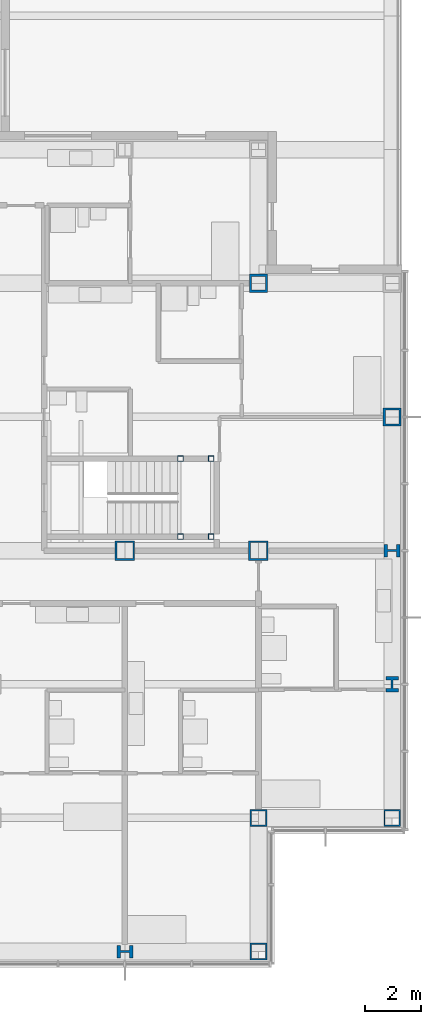
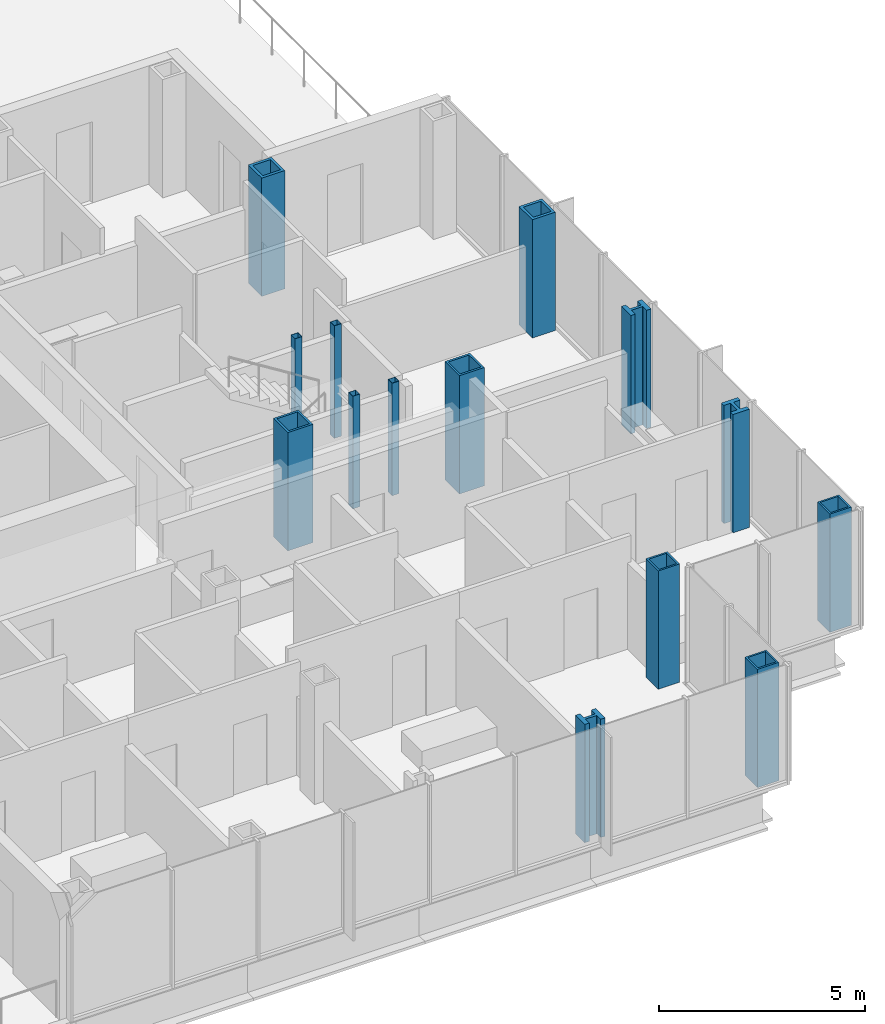
# One storey, part 4 of 19: 14 columns.
"""IFC4 building model written with IfcOpenShell, lengths in metres."""

from ifc_helpers import new_model, si_unit, direction, frame, origin, origin_2d, place, context, subcontext, project, spatial, hollow_rectangle, i_section, extrude, material, material_profile, profile_set, type_object, element, save


model = new_model("IFC4")

# Units and contexts
model_context = context("Model", 3, precision=1e-05, world=origin(), true_north=direction((0.0, 1.0)))
body_context = subcontext(model_context, "Body", "Model", "MODEL_VIEW")
ifc_project = project(units=[si_unit("LENGTHUNIT", "METRE"), si_unit("AREAUNIT", "SQUARE_METRE"), si_unit("VOLUMEUNIT", "CUBIC_METRE"), si_unit("PLANEANGLEUNIT", "RADIAN"), si_unit("MASSUNIT", "GRAM", prefix="KILO")], contexts=[model_context])

# Site, building, storey
site_placement = place(None, origin())
site = spatial("IfcSite", under=ifc_project, at=site_placement, CompositionType="ELEMENT")
building_placement = place(site_placement, origin())
building = spatial("IfcBuilding", under=site, at=building_placement, Name="Kvirike Care Tower", CompositionType="ELEMENT")
storey_placement = place(building_placement, frame((0.0, 0.0, 84.0)))
storey = spatial("IfcBuildingStorey", under=building, at=storey_placement, Name="L22", CompositionType="ELEMENT", Elevation=84.0)

# Columns
ifc_material_1 = material(Name="Steel S460", Category="steel")
ifc_material_profile_1 = material_profile(ifc_material_1, hollow_rectangle(XDim=0.60009765625, YDim=0.60009765625, WallThickness=0.050048828125, at=origin_2d()), Name="BX 600x600x50")
ifc_profile_set_1 = profile_set([ifc_material_profile_1], Name="Steel S460")
column_type_1 = type_object("IfcColumnType", Name="COLUMN BX 600x600x50", PredefinedType="COLUMN", material=ifc_profile_set_1)
for number, where, z_axis, x_axis, name in (
    (1, (38.39990234375, 14.39990234375, 0.0), (0.0, 0.0, 1.0), (0.0, 1.0, 0.0), "Column D11 L22"),
    (2, (38.39990234375, 19.199951171875, 0.0), (0.0, 0.0, 1.0), (0.0, 1.0, 0.0), "Column E11 L22"),
    (3, (43.199951171875, 19.199951171875, 0.0), (0.0, 0.0, 1.0), (0.0, 1.0, 0.0), "Column E12 L22"),
):
    element("IfcColumn", number, at=place(storey_placement, frame(where, z_axis=z_axis, x_axis=x_axis)), inside=storey, type_object=column_type_1, Name=name, PredefinedType="COLUMN", context=body_context, shape_type="SweptSolid", body=[
        extrude(hollow_rectangle(XDim=0.60009765625, YDim=0.60009765625, WallThickness=0.050048828125, at=origin_2d()), origin(), (0.0, 0.0, 1.0), 3.5),
    ])
ifc_material_2 = material(Name="Steel S460", Category="steel")
ifc_material_profile_2 = material_profile(ifc_material_2, hollow_rectangle(XDim=0.64990234375, YDim=0.64990234375, WallThickness=0.080078125, at=origin_2d()), Name="BX 650x650x80")
ifc_profile_set_2 = profile_set([ifc_material_profile_2], Name="Steel S460")
column_type_2 = type_object("IfcColumnType", Name="COLUMN BX 650x650x80", PredefinedType="COLUMN", material=ifc_profile_set_2)
for number, where, z_axis, x_axis, name in (
    (4, (38.39990234375, 38.39990234375, 0.0), (0.0, 0.0, 1.0), (0.0, 1.0, 0.0), "Column J11 L22"),
    (5, (43.199951171875, 33.60009765625, 0.0), (0.0, 0.0, 1.0), (1.0, 0.0, 0.0), "Column H12 L22"),
):
    element("IfcColumn", number, at=place(storey_placement, frame(where, z_axis=z_axis, x_axis=x_axis)), inside=storey, type_object=column_type_2, Name=name, PredefinedType="COLUMN", context=body_context, shape_type="SweptSolid", body=[
        extrude(hollow_rectangle(XDim=0.64990234375, YDim=0.64990234375, WallThickness=0.080078125, at=origin_2d()), origin(), (0.0, 0.0, 1.0), 3.5),
    ])
ifc_material_3 = material(Name="Steel S460", Category="steel")
ifc_material_profile_3 = material_profile(ifc_material_3, hollow_rectangle(XDim=0.699951171875, YDim=0.699951171875, WallThickness=0.06005859375, at=origin_2d()), Name="BX 700x700x60")
ifc_profile_set_3 = profile_set([ifc_material_profile_3], Name="Steel S460")
column_type_3 = type_object("IfcColumnType", Name="COLUMN BX 700x700x60", PredefinedType="COLUMN", material=ifc_profile_set_3)
for number, where, z_axis, x_axis, name in (
    (6, (33.60009765625, 28.800048828125, 0.0), (0.0, 0.0, 1.0), (0.0, 1.0, 0.0), "Column G10 L22"),
    (7, (38.39990234375, 28.800048828125, 0.0), (0.0, 0.0, 1.0), (0.0, 1.0, 0.0), "Column G11 L22"),
):
    element("IfcColumn", number, at=place(storey_placement, frame(where, z_axis=z_axis, x_axis=x_axis)), inside=storey, type_object=column_type_3, Name=name, PredefinedType="COLUMN", context=body_context, shape_type="SweptSolid", body=[
        extrude(hollow_rectangle(XDim=0.699951171875, YDim=0.699951171875, WallThickness=0.06005859375, at=origin_2d()), origin(), (0.0, 0.0, 1.0), 3.5),
    ])
ifc_material_4 = material(Name="Steel S460", Category="steel")
ifc_material_profile_4 = material_profile(ifc_material_4, i_section(OverallWidth=0.4541015625, OverallDepth=0.569091796875, WebThickness=0.077880859375, FlangeThickness=0.125, FilletRadius=0.014892578125, at=origin_2d()), Name="HD 400x1086")
ifc_profile_set_4 = profile_set([ifc_material_profile_4], Name="Steel S460")
column_type_4 = type_object("IfcColumnType", Name="COLUMN HD 400x1086", PredefinedType="COLUMN", material=ifc_profile_set_4)
for number, where, z_axis, x_axis, name in (
    (8, (33.60009765625, 14.39990234375, 0.0), (0.0, 0.0, 1.0), (0.0, 1.0, 0.0), "Column D10 L22"),
    (9, (43.199951171875, 24.0, 0.0), (0.0, 0.0, 1.0), (1.0, 0.0, 0.0), "Column F12 L22"),
    (10, (43.199951171875, 28.800048828125, 0.0), (0.0, 0.0, 1.0), (0.0, 1.0, 0.0), "Column G12 L22"),
):
    element("IfcColumn", number, at=place(storey_placement, frame(where, z_axis=z_axis, x_axis=x_axis)), inside=storey, type_object=column_type_4, Name=name, PredefinedType="COLUMN", context=body_context, shape_type="SweptSolid", body=[
        extrude(i_section(OverallWidth=0.4541015625, OverallDepth=0.569091796875, WebThickness=0.077880859375, FlangeThickness=0.125, FilletRadius=0.014892578125, at=origin_2d()), origin(), (0.0, 0.0, 1.0), 3.5),
    ])
ifc_material_5 = material(Name="Steel S460", Category="steel")
ifc_material_profile_5 = material_profile(ifc_material_5, hollow_rectangle(XDim=0.199951171875, YDim=0.199951171875, WallThickness=0.008056640625, at=origin_2d()), Name="SHS 200x200x8")
ifc_profile_set_5 = profile_set([ifc_material_profile_5], Name="Steel S460")
column_type_5 = type_object("IfcColumnType", Name="STAIR POST SHS 200x200x8", PredefinedType="COLUMN", material=ifc_profile_set_5)
for number, where, z_axis, x_axis, name in (
    (11, (36.699951171875, 29.300048828125, 0.0), (0.0, 0.0, 1.0), (1.0, 0.0, 0.0), "Stair 2 post 1 L22"),
    (12, (36.699951171875, 32.10009765625, 0.0), (0.0, 0.0, 1.0), (1.0, 0.0, 0.0), "Stair 2 post 2 L22"),
    (13, (35.60009765625, 29.300048828125, 0.0), (0.0, 0.0, 1.0), (1.0, 0.0, 0.0), "Stair 2 post 3 L22"),
    (14, (35.60009765625, 32.10009765625, 0.0), (0.0, 0.0, 1.0), (1.0, 0.0, 0.0), "Stair 2 post 4 L22"),
):
    element("IfcColumn", number, at=place(storey_placement, frame(where, z_axis=z_axis, x_axis=x_axis)), inside=storey, type_object=column_type_5, Name=name, PredefinedType="COLUMN", context=body_context, shape_type="SweptSolid", body=[
        extrude(hollow_rectangle(XDim=0.199951171875, YDim=0.199951171875, WallThickness=0.008056640625, at=origin_2d()), origin(), (0.0, 0.0, 1.0), 3.330078125),
    ])

save(model, "model.ifc")
